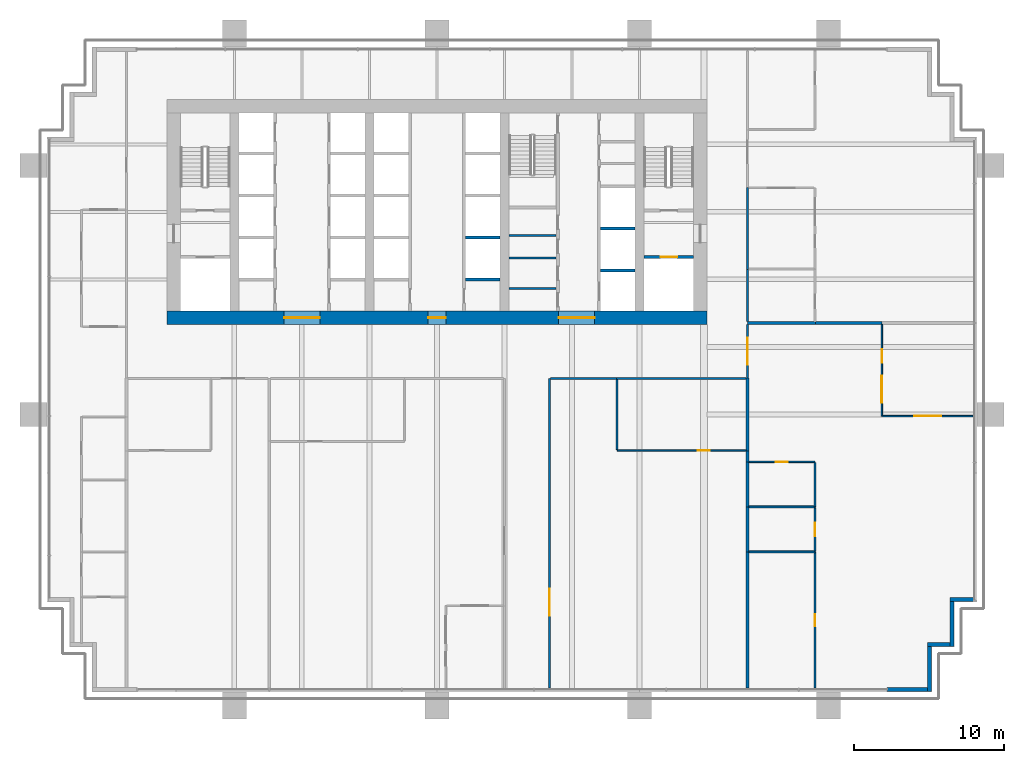
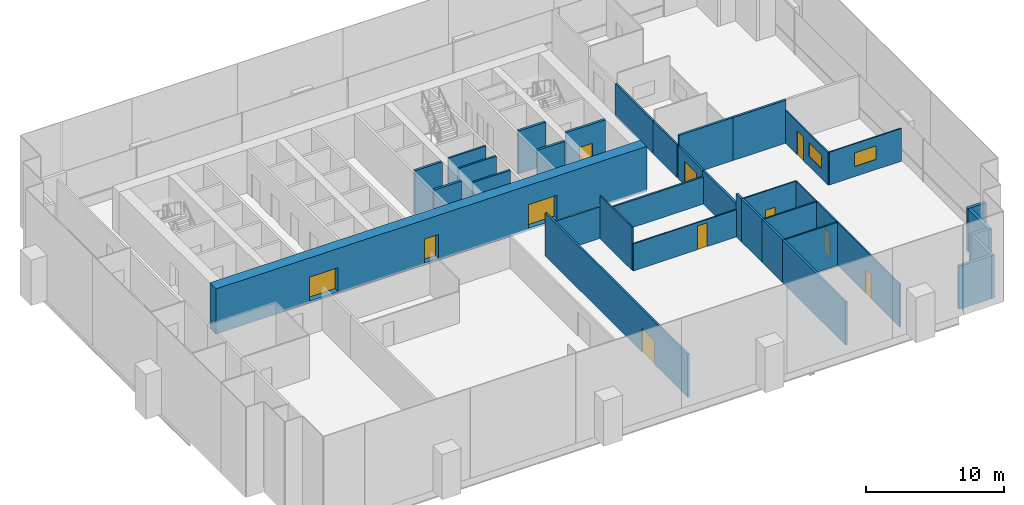
# One storey, part 13 of 19: 37 walls, 11 doors, 2 windows, 13 openings.
"""IFC4 building model written with IfcOpenShell, lengths in metres."""

from ifc_helpers import new_model, si_unit, direction, frame, frame_2d, origin, place, context, subcontext, project, spatial, rectangle, extrude, material, layer, layer_set, type_object, element, fill, save


model = new_model("IFC4")

# Units and contexts
model_context = context("Model", 3, precision=1e-05, world=origin(), true_north=direction((0.0, 1.0)))
body_context = subcontext(model_context, "Body", "Model", "MODEL_VIEW")
ifc_project = project(units=[si_unit("LENGTHUNIT", "METRE"), si_unit("AREAUNIT", "SQUARE_METRE"), si_unit("VOLUMEUNIT", "CUBIC_METRE"), si_unit("PLANEANGLEUNIT", "RADIAN"), si_unit("MASSUNIT", "GRAM", prefix="KILO")], contexts=[model_context])

# Site, building, storey
site_placement = place(None, origin())
site = spatial("IfcSite", under=ifc_project, at=site_placement, CompositionType="ELEMENT")
building_placement = place(site_placement, origin())
building = spatial("IfcBuilding", under=site, at=building_placement, Name="Rattan Terrace Tower", CompositionType="ELEMENT")
storey_placement = place(building_placement, frame((0.0, 0.0, 91.699951171875)))
storey = spatial("IfcBuildingStorey", under=building, at=storey_placement, Name="L20", CompositionType="ELEMENT", Elevation=91.699951171875)

# Walls
ifc_material_1 = material(Name="Gypsum board partition")
ifc_layer_1 = layer(ifc_material_1, 0.14990234375)
ifc_layer_set_1 = layer_set([ifc_layer_1], Name="Core partition 150")
wall_type_1 = type_object("IfcWallType", Name="Core partition 150", PredefinedType="PARTITIONING", material=ifc_layer_set_1)
for number, where, z_axis, x_axis, name in (
    (1, (4.800048828125, -5.10400390625, 0.0), (0.0, 0.0, 1.0), (1.0, 0.0, 0.0), "Toilet wall"),
    (2, (4.800048828125, -3.06396484375, 0.0), (0.0, 0.0, 1.0), (1.0, 0.0, 0.0), "Toilet wall"),
    (3, (4.800048828125, -1.568115234375, 0.0), (0.0, 0.0, 1.0), (1.0, 0.0, 0.0), "Toilet wall"),
):
    element("IfcWall", number, at=place(storey_placement, frame(where, z_axis=z_axis, x_axis=x_axis)), inside=storey, type_object=wall_type_1, Name=name, PredefinedType="PARTITIONING", context=body_context, shape_type="SweptSolid", body=[
        extrude(rectangle(XDim=3.14990234375, YDim=0.14990234375, at=frame_2d((1.574951171875, 0.0))), origin(), (0.0, 0.0, 1.0), 3.800048828125),
    ])

# Wall, opening, door
ifc_material_2 = material(Name="Gypsum board partition")
ifc_layer_2 = layer(ifc_material_2, 0.199951171875)
ifc_layer_set_2 = layer_set([ifc_layer_2], Name="Core partition 200")
wall_type_2 = type_object("IfcWallType", Name="Core partition 200", PredefinedType="PARTITIONING", material=ifc_layer_set_2)
wall_1_placement = place(storey_placement, frame((13.800048828125, -3.0, 0.0), z_axis=(0.0, 0.0, 1.0), x_axis=(1.0, 0.0, 0.0)))
wall_1 = element("IfcWall", 4, at=wall_1_placement, inside=storey, type_object=wall_type_2, Name="Fire-fighting lobby wall", PredefinedType="PARTITIONING", context=body_context, shape_type="SweptSolid", body=[
    extrude(rectangle(XDim=3.300048828125, YDim=0.199951171875, at=frame_2d((1.64990234375, 0.0))), origin(), (0.0, 0.0, 1.0), 3.800048828125),
])
opening_1_placement = place(wall_1_placement, frame((1.10009765625, 0.0, 0.0)))
opening_1 = element("IfcOpeningElement", 5, at=opening_1_placement, cuts=wall_1, Name="Opening L20-LD-FF2", PredefinedType="OPENING", context=body_context, shape_type="SweptSolid", body=[
    extrude(rectangle(XDim=1.10009765625, YDim=2.10009765625, at=frame_2d((0.550048828125, 1.050048828125))), frame((0.0, 0.110595703125, 0.0), z_axis=(0.0, -1.0, 0.0), x_axis=(1.0, 0.0, 0.0)), (0.0, 0.0, 1.0), 0.220947265625),
])
ifc_material_3 = material(Name="Brushed stainless landing door panel")
door_type_1 = type_object("IfcDoorType", Name="Core lift landing door 1100", OperationType="DOUBLE_DOOR_SLIDING", PredefinedType="DOOR", material=ifc_material_3)
door_1_placement = place(opening_1_placement, origin())
door_1 = element("IfcDoor", 6, at=door_1_placement, inside=storey, type_object=door_type_1, Name="Door L20-LD-FF2", OperationType="DOUBLE_DOOR_SLIDING", OverallHeight=2.10009765625, OverallWidth=1.10009765625, PredefinedType="DOOR", context=body_context, shape_type="SweptSolid", body=[
    extrude(rectangle(XDim=1.10009765625, YDim=2.10009765625, at=frame_2d((0.550048828125, 1.050048828125))), frame((0.0, 0.02490234375, 0.0), z_axis=(0.0, -1.0, 0.0), x_axis=(1.0, 0.0, 0.0)), (0.0, 0.0, 1.0), 0.050048828125),
])
fill(opening_1, door_1)

# Wall, openings, doors
ifc_material_4 = material(Name="Concrete C70/85", Category="concrete")
ifc_layer_3 = layer(ifc_material_4, 0.89990234375)
ifc_layer_set_3 = layer_set([ifc_layer_3], Name="Core ring wall 900 C70/85")
wall_type_3 = type_object("IfcWallType", Name="Core ring wall 900 C70/85", PredefinedType="SHEAR", material=ifc_layer_set_3)
wall_2_placement = place(storey_placement, frame((-18.0, -7.050048828125, -0.199951171875), z_axis=(0.0, 0.0, 1.0), x_axis=(1.0, 0.0, 0.0)))
wall_2 = element("IfcWall", 7, at=wall_2_placement, inside=storey, type_object=wall_type_3, Name="Rear core wall south", PredefinedType="SHEAR", context=body_context, shape_type="SweptSolid", body=[
    extrude(rectangle(XDim=36.0, YDim=0.89990234375, at=frame_2d((18.0, 0.0))), origin(), (0.0, 0.0, 1.0), 4.0),
])
opening_2_placement = place(wall_2_placement, frame((7.800048828125, 0.0, 0.199951171875)))
opening_2 = element("IfcOpeningElement", 8, at=opening_2_placement, cuts=wall_2, Name="Opening L20-D007", PredefinedType="OPENING", context=body_context, shape_type="SweptSolid", body=[
    extrude(rectangle(XDim=2.39990234375, YDim=2.10009765625, at=frame_2d((1.199951171875, 1.050048828125))), frame((0.0, 0.46044921875, 0.0), z_axis=(0.0, -1.0, 0.0), x_axis=(1.0, 0.0, 0.0)), (0.0, 0.0, 1.0), 0.9208984375),
])
opening_3_placement = place(wall_2_placement, frame((17.39990234375, 0.0, 0.199951171875)))
opening_3 = element("IfcOpeningElement", 9, at=opening_3_placement, cuts=wall_2, Name="Opening L20-D010", PredefinedType="OPENING", context=body_context, shape_type="SweptSolid", body=[
    extrude(rectangle(XDim=1.199951171875, YDim=2.10009765625, at=frame_2d((0.60009765625, 1.050048828125))), frame((0.0, 0.46044921875, 0.0), z_axis=(0.0, -1.0, 0.0), x_axis=(1.0, 0.0, 0.0)), (0.0, 0.0, 1.0), 0.9208984375),
])
opening_4_placement = place(wall_2_placement, frame((26.10009765625, 0.0, 0.199951171875)))
opening_4 = element("IfcOpeningElement", 10, at=opening_4_placement, cuts=wall_2, Name="Opening L20-D016", PredefinedType="OPENING", context=body_context, shape_type="SweptSolid", body=[
    extrude(rectangle(XDim=2.39990234375, YDim=2.10009765625, at=frame_2d((1.199951171875, 1.050048828125))), frame((0.0, 0.46044921875, 0.0), z_axis=(0.0, -1.0, 0.0), x_axis=(1.0, 0.0, 0.0)), (0.0, 0.0, 1.0), 0.9208984375),
])
ifc_material_5 = material(Name="Hollow-metal fire door leaf")
door_type_2 = type_object("IfcDoorType", Name="Core lift lobby door 2400", OperationType="NOTDEFINED", PredefinedType="DOOR", material=ifc_material_5)
door_2_placement = place(opening_2_placement, origin())
door_2 = element("IfcDoor", 11, at=door_2_placement, inside=storey, type_object=door_type_2, Name="Door L20-D007", OperationType="DOUBLE_DOOR_DOUBLE_SWING", OverallHeight=2.10009765625, OverallWidth=2.39990234375, PredefinedType="DOOR", context=body_context, shape_type="SweptSolid", body=[
    extrude(rectangle(XDim=2.39990234375, YDim=2.10009765625, at=frame_2d((1.199951171875, 1.050048828125))), frame((0.0, 0.02490234375, 0.0), z_axis=(0.0, -1.0, 0.0), x_axis=(1.0, 0.0, 0.0)), (0.0, 0.0, 1.0), 0.050048828125),
])
fill(opening_2, door_2)
door_3_placement = place(opening_4_placement, origin())
door_3 = element("IfcDoor", 12, at=door_3_placement, inside=storey, type_object=door_type_2, Name="Door L20-D016", OperationType="DOUBLE_DOOR_DOUBLE_SWING", OverallHeight=2.10009765625, OverallWidth=2.39990234375, PredefinedType="DOOR", context=body_context, shape_type="SweptSolid", body=[
    extrude(rectangle(XDim=2.39990234375, YDim=2.10009765625, at=frame_2d((1.199951171875, 1.050048828125))), frame((0.0, 0.02490234375, 0.0), z_axis=(0.0, -1.0, 0.0), x_axis=(1.0, 0.0, 0.0)), (0.0, 0.0, 1.0), 0.050048828125),
])
fill(opening_4, door_3)
ifc_material_6 = material(Name="Hollow-metal fire door leaf")
door_type_3 = type_object("IfcDoorType", Name="Core riser door 1200", OperationType="NOTDEFINED", PredefinedType="DOOR", material=ifc_material_6)
door_4_placement = place(opening_3_placement, origin())
door_4 = element("IfcDoor", 13, at=door_4_placement, inside=storey, type_object=door_type_3, Name="Door L20-D010", OperationType="SINGLE_SWING_RIGHT", OverallHeight=2.10009765625, OverallWidth=1.199951171875, PredefinedType="DOOR", context=body_context, shape_type="SweptSolid", body=[
    extrude(rectangle(XDim=1.199951171875, YDim=2.10009765625, at=frame_2d((0.60009765625, 1.050048828125))), frame((0.0, 0.02490234375, 0.0), z_axis=(0.0, -1.0, 0.0), x_axis=(1.0, 0.0, 0.0)), (0.0, 0.0, 1.0), 0.050048828125),
])
fill(opening_3, door_4)

# Walls
ifc_material_7 = material(Name="Insulated aluminium-clad stud wall", Category="aluminium")
ifc_layer_4 = layer(ifc_material_7, 0.25)
ifc_layer_set_4 = layer_set([ifc_layer_4], Name="Facade Riser Wall 250")
wall_type_4 = type_object("IfcWallType", Name="Facade Riser Wall 250", PredefinedType="SOLIDWALL", material=ifc_layer_set_4)
wall_3_placement = place(storey_placement, frame((30.0, -31.830078125, 0.0), z_axis=(0.0, 0.0, 1.0), x_axis=(1.0, 0.0, 0.0)))
element("IfcWall", 14, at=wall_3_placement, inside=storey, type_object=wall_type_4, Name="Riser wall L20-1", PredefinedType="SOLIDWALL", context=body_context, shape_type="SweptSolid", body=[
    extrude(rectangle(XDim=2.705078125, YDim=0.25, at=frame_2d((1.3525390625, 0.0))), origin(), (0.0, 0.0, 1.0), 3.800048828125),
])
wall_4_placement = place(storey_placement, frame((32.830078125, -31.955078125, 0.0), z_axis=(0.0, 0.0, 1.0), x_axis=(0.0, 1.0, 0.0)))
element("IfcWall", 15, at=wall_4_placement, inside=storey, type_object=wall_type_4, Name="Riser wall L20-2", PredefinedType="SOLIDWALL", context=body_context, shape_type="SweptSolid", body=[
    extrude(rectangle(XDim=3.0, YDim=0.25, at=frame_2d((1.5, 0.0))), origin(), (0.0, 0.0, 1.0), 3.800048828125),
])
wall_5_placement = place(storey_placement, frame((32.705078125, -28.830078125, 0.0), z_axis=(0.0, 0.0, 1.0), x_axis=(1.0, 0.0, 0.0)))
element("IfcWall", 16, at=wall_5_placement, inside=storey, type_object=wall_type_4, Name="Riser wall L20-3", PredefinedType="SOLIDWALL", context=body_context, shape_type="SweptSolid", body=[
    extrude(rectangle(XDim=1.5, YDim=0.25, at=frame_2d((0.75, 0.0))), origin(), (0.0, 0.0, 1.0), 3.800048828125),
])
wall_6_placement = place(storey_placement, frame((34.330078125, -28.955078125, 0.0), z_axis=(0.0, 0.0, 1.0), x_axis=(0.0, 1.0, 0.0)))
element("IfcWall", 17, at=wall_6_placement, inside=storey, type_object=wall_type_4, Name="Riser wall L20-4", PredefinedType="SOLIDWALL", context=body_context, shape_type="SweptSolid", body=[
    extrude(rectangle(XDim=3.0, YDim=0.25, at=frame_2d((1.5, 0.0))), origin(), (0.0, 0.0, 1.0), 3.800048828125),
])
wall_7_placement = place(storey_placement, frame((34.205078125, -25.830078125, 0.0), z_axis=(0.0, 0.0, 1.0), x_axis=(1.0, 0.0, 0.0)))
element("IfcWall", 18, at=wall_7_placement, inside=storey, type_object=wall_type_4, Name="Riser wall L20-5", PredefinedType="SOLIDWALL", context=body_context, shape_type="SweptSolid", body=[
    extrude(rectangle(XDim=1.544921875, YDim=0.25, at=frame_2d((0.7724609375, 0.0))), origin(), (0.0, 0.0, 1.0), 3.800048828125),
])
ifc_material_8 = material(Name="Double steel stud acoustic partition, gypsum board, mineral wool, fire rated", Category="steel")
ifc_layer_5 = layer(ifc_material_8, 0.179931640625)
ifc_layer_set_5 = layer_set([ifc_layer_5], Name="Floors Acoustic Party Wall 180")
wall_type_5 = type_object("IfcWallType", Name="Floors Acoustic Party Wall 180", PredefinedType="PARTITIONING", material=ifc_layer_set_5)
wall_8_placement = place(storey_placement, frame((25.219970703125, -7.39990234375, 0.0), z_axis=(0.0, 0.0, 1.0), x_axis=(1.0, 0.0, 0.0)))
element("IfcWall", 19, at=wall_8_placement, inside=storey, type_object=wall_type_5, Name="pt-L20-041", PredefinedType="PARTITIONING", context=body_context, shape_type="SweptSolid", body=[
    extrude(rectangle(XDim=4.43994140625, YDim=0.179931640625, at=frame_2d((2.219970703125, 0.0))), origin(), (0.0, 0.0, 1.0), 3.800048828125),
])
wall_9_placement = place(storey_placement, frame((20.699951171875, -7.39990234375, 0.0), z_axis=(0.0, 0.0, 1.0), x_axis=(1.0, 0.0, 0.0)))
element("IfcWall", 20, at=wall_9_placement, inside=storey, type_object=wall_type_5, Name="pt-L20-042", PredefinedType="PARTITIONING", context=body_context, shape_type="SweptSolid", body=[
    extrude(rectangle(XDim=4.52001953125, YDim=0.179931640625, at=frame_2d((2.260009765625, 0.0))), origin(), (0.0, 0.0, 1.0), 3.800048828125),
])
wall_10_placement = place(storey_placement, frame((20.699951171875, -16.659912109375, 0.0), z_axis=(0.0, 0.0, 1.0), x_axis=(0.0, 1.0, 0.0)))
element("IfcWall", 21, at=wall_10_placement, inside=storey, type_object=wall_type_5, Name="pt-L20-043", PredefinedType="PARTITIONING", context=body_context, shape_type="SweptSolid", body=[
    extrude(rectangle(XDim=0.739990234375, YDim=0.179931640625, at=frame_2d((0.3701171875, 0.0))), origin(), (0.0, 0.0, 1.0), 3.800048828125),
])
wall_11_placement = place(storey_placement, frame((20.699951171875, -15.919921875, 0.0), z_axis=(0.0, 0.0, 1.0), x_axis=(0.0, 1.0, 0.0)))
element("IfcWall", 22, at=wall_11_placement, inside=storey, type_object=wall_type_5, Name="pt-L20-044", PredefinedType="PARTITIONING", context=body_context, shape_type="SweptSolid", body=[
    extrude(rectangle(XDim=4.83984375, YDim=0.179931640625, at=frame_2d((2.419921875, 0.0))), origin(), (0.0, 0.0, 1.0), 2.900146484375),
])
wall_12_placement = place(storey_placement, frame((20.699951171875, -31.739990234375, 0.0), z_axis=(0.0, 0.0, 1.0), x_axis=(0.0, 1.0, 0.0)))
element("IfcWall", 23, at=wall_12_placement, inside=storey, type_object=wall_type_5, Name="pt-L20-047", PredefinedType="PARTITIONING", context=body_context, shape_type="SweptSolid", body=[
    extrude(rectangle(XDim=9.080078125, YDim=0.179931640625, at=frame_2d((4.5400390625, 0.0))), origin(), (0.0, 0.0, 1.0), 3.800048828125),
])
for number, where, z_axis, x_axis, name in (
    (24, (20.699951171875, -22.659912109375, 0.0), (0.0, 0.0, 1.0), (0.0, 1.0, 0.0), "pt-L20-049"),
    (25, (20.699951171875, -19.659912109375, 0.0), (0.0, 0.0, 1.0), (0.0, 1.0, 0.0), "pt-L20-050"),
):
    element("IfcWall", number, at=place(storey_placement, frame(where, z_axis=z_axis, x_axis=x_axis)), inside=storey, type_object=wall_type_5, Name=name, PredefinedType="PARTITIONING", context=body_context, shape_type="SweptSolid", body=[
        extrude(rectangle(XDim=3.0, YDim=0.179931640625, at=frame_2d((1.5, 0.0))), origin(), (0.0, 0.0, 1.0), 3.800048828125),
    ])

# Wall, openings, door, window
ifc_material_9 = material(Name="Gypsum board partition on steel studs", Category="steel")
ifc_layer_6 = layer(ifc_material_9, 0.10009765625)
ifc_layer_set_6 = layer_set([ifc_layer_6], Name="Floors Partition 100")
wall_type_6 = type_object("IfcWallType", Name="Floors Partition 100", PredefinedType="PARTITIONING", material=ifc_layer_set_6)
wall_13_placement = place(storey_placement, frame((29.659912109375, -7.489990234375, 0.0), z_axis=(0.0, 0.0, 1.0), x_axis=(0.0, -1.0, 0.0)))
wall_13 = element("IfcWall", 26, at=wall_13_placement, inside=storey, type_object=wall_type_6, Name="pt-L20-035", PredefinedType="PARTITIONING", context=body_context, shape_type="SweptSolid", body=[
    extrude(rectangle(XDim=6.110107421875, YDim=0.10009765625, at=frame_2d((3.05517578125, 0.0))), origin(), (0.0, 0.0, 1.0), 2.900146484375),
])
opening_5_placement = place(wall_13_placement, frame((1.6630859375, 0.0, 0.0)))
opening_5 = element("IfcOpeningElement", 27, at=opening_5_placement, cuts=wall_13, Name="Opening L20-D107", PredefinedType="OPENING", context=body_context, shape_type="SweptSolid", body=[
    extrude(rectangle(XDim=0.89990234375, YDim=2.10009765625, at=frame_2d((0.449951171875, 1.050048828125))), frame((0.0, 0.060546875, 0.0), z_axis=(0.0, -1.0, 0.0), x_axis=(1.0, 0.0, 0.0)), (0.0, 0.0, 1.0), 0.12109375),
])
opening_6_placement = place(wall_13_placement, frame((3.412109375, 0.0, 0.89990234375)))
opening_6 = element("IfcOpeningElement", 28, at=opening_6_placement, cuts=wall_13, Name="Opening L20-W103", PredefinedType="OPENING", context=body_context, shape_type="SweptSolid", body=[
    extrude(rectangle(XDim=1.800048828125, YDim=1.199951171875, at=frame_2d((0.89990234375, 0.60009765625))), frame((0.0, 0.060546875, 0.0), z_axis=(0.0, -1.0, 0.0), x_axis=(1.0, 0.0, 0.0)), (0.0, 0.0, 1.0), 0.12109375),
])
ifc_material_10 = material(Name="Solid core timber door, painted", Category="wood")
door_type_4 = type_object("IfcDoorType", Name="Floors Door 900x2100", OperationType="NOTDEFINED", PredefinedType="DOOR", material=ifc_material_10)
door_5_placement = place(opening_5_placement, origin())
door_5 = element("IfcDoor", 29, at=door_5_placement, inside=storey, type_object=door_type_4, Name="d-L20-107", OperationType="SINGLE_SWING_LEFT", OverallHeight=2.10009765625, OverallWidth=0.89990234375, PredefinedType="DOOR", context=body_context, shape_type="SweptSolid", body=[
    extrude(rectangle(XDim=0.89990234375, YDim=2.10009765625, at=frame_2d((0.449951171875, 1.050048828125))), frame((0.0, 0.02490234375, 0.0), z_axis=(0.0, -1.0, 0.0), x_axis=(1.0, 0.0, 0.0)), (0.0, 0.0, 1.0), 0.050048828125),
])
fill(opening_5, door_5)
ifc_material_11 = material(Name="Glass, clear, fixed in aluminium frame", Category="aluminium")
window_type = type_object("IfcWindowType", Name="Interior Vision Window 1800x1200", PartitioningType="SINGLE_PANEL", PredefinedType="WINDOW", material=ifc_material_11)
window_1_placement = place(opening_6_placement, origin())
window_1 = element("IfcWindow", 30, at=window_1_placement, inside=storey, type_object=window_type, Name="w-L20-103", OverallHeight=1.199951171875, OverallWidth=1.800048828125, PartitioningType="SINGLE_PANEL", PredefinedType="WINDOW", context=body_context, shape_type="SweptSolid", body=[
    extrude(rectangle(XDim=1.800048828125, YDim=1.199951171875, at=frame_2d((0.89990234375, 0.60009765625))), frame((0.0, 0.030029296875, 0.0), z_axis=(0.0, -1.0, 0.0), x_axis=(1.0, 0.0, 0.0)), (0.0, 0.0, 1.0), 0.06005859375),
])
fill(opening_6, window_1)

# Wall, opening, window
wall_14_placement = place(storey_placement, frame((29.7099609375, -13.60009765625, 0.0), z_axis=(0.0, 0.0, 1.0), x_axis=(1.0, 0.0, 0.0)))
wall_14 = element("IfcWall", 31, at=wall_14_placement, inside=storey, type_object=wall_type_6, Name="pt-L20-036", PredefinedType="PARTITIONING", context=body_context, shape_type="SweptSolid", body=[
    extrude(rectangle(XDim=6.030029296875, YDim=0.10009765625, at=frame_2d((3.01513671875, 0.0))), origin(), (0.0, 0.0, 1.0), 2.900146484375),
])
opening_7_placement = place(wall_14_placement, frame((2.114990234375, 0.0, 0.89990234375)))
opening_7 = element("IfcOpeningElement", 32, at=opening_7_placement, cuts=wall_14, Name="Opening L20-W104", PredefinedType="OPENING", context=body_context, shape_type="SweptSolid", body=[
    extrude(rectangle(XDim=1.800048828125, YDim=1.199951171875, at=frame_2d((0.89990234375, 0.60009765625))), frame((0.0, 0.060546875, 0.0), z_axis=(0.0, -1.0, 0.0), x_axis=(1.0, 0.0, 0.0)), (0.0, 0.0, 1.0), 0.12109375),
])
window_2_placement = place(opening_7_placement, origin())
window_2 = element("IfcWindow", 33, at=window_2_placement, inside=storey, type_object=window_type, Name="w-L20-104", OverallHeight=1.199951171875, OverallWidth=1.800048828125, PartitioningType="SINGLE_PANEL", PredefinedType="WINDOW", context=body_context, shape_type="SweptSolid", body=[
    extrude(rectangle(XDim=1.800048828125, YDim=1.199951171875, at=frame_2d((0.89990234375, 0.60009765625))), frame((0.0, 0.030029296875, 0.0), z_axis=(0.0, -1.0, 0.0), x_axis=(1.0, 0.0, 0.0)), (0.0, 0.0, 1.0), 0.06005859375),
])
fill(opening_7, window_2)

# Wall, opening, door
wall_15_placement = place(storey_placement, frame((25.199951171875, -31.739990234375, 0.0), z_axis=(0.0, 0.0, 1.0), x_axis=(0.0, 1.0, 0.0)))
wall_15 = element("IfcWall", 34, at=wall_15_placement, inside=storey, type_object=wall_type_6, Name="pt-L20-037", PredefinedType="PARTITIONING", context=body_context, shape_type="SweptSolid", body=[
    extrude(rectangle(XDim=9.06005859375, YDim=0.10009765625, at=frame_2d((4.530029296875, 0.0))), origin(), (0.0, 0.0, 1.0), 3.800048828125),
])
opening_8_placement = place(wall_15_placement, frame((4.1298828125, 0.0, 0.0)))
opening_8 = element("IfcOpeningElement", 35, at=opening_8_placement, cuts=wall_15, Name="Opening L20-D108", PredefinedType="OPENING", context=body_context, shape_type="SweptSolid", body=[
    extrude(rectangle(XDim=0.800048828125, YDim=2.10009765625, at=frame_2d((0.39990234375, 1.050048828125))), frame((0.0, 0.060546875, 0.0), z_axis=(0.0, -1.0, 0.0), x_axis=(1.0, 0.0, 0.0)), (0.0, 0.0, 1.0), 0.12109375),
])
ifc_material_12 = material(Name="Solid core timber door, painted", Category="wood")
door_type_5 = type_object("IfcDoorType", Name="Floors Store Door 800x2100", OperationType="NOTDEFINED", PredefinedType="DOOR", material=ifc_material_12)
door_6_placement = place(opening_8_placement, origin())
door_6 = element("IfcDoor", 36, at=door_6_placement, inside=storey, type_object=door_type_5, Name="d-L20-108", OperationType="SINGLE_SWING_LEFT", OverallHeight=2.10009765625, OverallWidth=0.800048828125, PredefinedType="DOOR", context=body_context, shape_type="SweptSolid", body=[
    extrude(rectangle(XDim=0.800048828125, YDim=2.10009765625, at=frame_2d((0.39990234375, 1.050048828125))), frame((0.0, 0.02490234375, 0.0), z_axis=(0.0, -1.0, 0.0), x_axis=(1.0, 0.0, 0.0)), (0.0, 0.0, 1.0), 0.050048828125),
])
fill(opening_8, door_6)

wall_16_placement = place(storey_placement, frame((25.199951171875, -16.659912109375, 0.0), z_axis=(0.0, 0.0, 1.0), x_axis=(-1.0, 0.0, 0.0)))
wall_16 = element("IfcWall", 37, at=wall_16_placement, inside=storey, type_object=wall_type_6, Name="pt-L20-039", PredefinedType="PARTITIONING", context=body_context, shape_type="SweptSolid", body=[
    extrude(rectangle(XDim=4.409912109375, YDim=0.10009765625, at=frame_2d((2.205078125, 0.0))), origin(), (0.0, 0.0, 1.0), 3.800048828125),
])
opening_9_placement = place(wall_16_placement, frame((1.804931640625, 0.0, 0.0)))
opening_9 = element("IfcOpeningElement", 38, at=opening_9_placement, cuts=wall_16, Name="Opening L20-D110", PredefinedType="OPENING", context=body_context, shape_type="SweptSolid", body=[
    extrude(rectangle(XDim=0.800048828125, YDim=2.10009765625, at=frame_2d((0.39990234375, 1.050048828125))), frame((0.0, 0.060546875, 0.0), z_axis=(0.0, -1.0, 0.0), x_axis=(1.0, 0.0, 0.0)), (0.0, 0.0, 1.0), 0.12109375),
])
door_7_placement = place(opening_9_placement, origin())
door_7 = element("IfcDoor", 39, at=door_7_placement, inside=storey, type_object=door_type_5, Name="d-L20-110", OperationType="SINGLE_SWING_LEFT", OverallHeight=2.10009765625, OverallWidth=0.800048828125, PredefinedType="DOOR", context=body_context, shape_type="SweptSolid", body=[
    extrude(rectangle(XDim=0.800048828125, YDim=2.10009765625, at=frame_2d((0.39990234375, 1.050048828125))), frame((0.0, 0.02490234375, 0.0), z_axis=(0.0, -1.0, 0.0), x_axis=(1.0, 0.0, 0.0)), (0.0, 0.0, 1.0), 0.050048828125),
])
fill(opening_9, door_7)

# Walls
wall_17_placement = place(storey_placement, frame((25.199951171875, -19.639892578125, 0.0), z_axis=(0.0, 0.0, 1.0), x_axis=(0.0, 1.0, 0.0)))
element("IfcWall", 40, at=wall_17_placement, inside=storey, type_object=wall_type_6, Name="pt-L20-040", PredefinedType="PARTITIONING", context=body_context, shape_type="SweptSolid", body=[
    extrude(rectangle(XDim=2.929931640625, YDim=0.10009765625, at=frame_2d((1.46484375, 0.0))), origin(), (0.0, 0.0, 1.0), 3.800048828125),
])
wall_18_placement = place(storey_placement, frame((12.0, -11.175048828125, 0.0), z_axis=(0.0, 0.0, 1.0), x_axis=(0.0, -1.0, 0.0)))
element("IfcWall", 41, at=wall_18_placement, inside=storey, type_object=wall_type_6, Name="pt-L20-065", PredefinedType="PARTITIONING", context=body_context, shape_type="SweptSolid", body=[
    extrude(rectangle(XDim=4.675048828125, YDim=0.10009765625, at=frame_2d((2.33740234375, 0.0))), origin(), (0.0, 0.0, 1.0), 3.800048828125),
])

# Wall, opening, door
wall_19_placement = place(storey_placement, frame((12.0, -15.89990234375, 0.0), z_axis=(0.0, 0.0, 1.0), x_axis=(1.0, 0.0, 0.0)))
wall_19 = element("IfcWall", 42, at=wall_19_placement, inside=storey, type_object=wall_type_6, Name="pt-L20-066", PredefinedType="PARTITIONING", context=body_context, shape_type="SweptSolid", body=[
    extrude(rectangle(XDim=8.610107421875, YDim=0.10009765625, at=frame_2d((4.30517578125, 0.0))), origin(), (0.0, 0.0, 1.0), 2.400146484375),
])
opening_10_placement = place(wall_19_placement, frame((5.366943359375, 0.0, 0.0)))
opening_10 = element("IfcOpeningElement", 43, at=opening_10_placement, cuts=wall_19, Name="Opening L20-D121", PredefinedType="OPENING", context=body_context, shape_type="SweptSolid", body=[
    extrude(rectangle(XDim=0.800048828125, YDim=2.10009765625, at=frame_2d((0.39990234375, 1.050048828125))), frame((0.0, 0.060546875, 0.0), z_axis=(0.0, -1.0, 0.0), x_axis=(1.0, 0.0, 0.0)), (0.0, 0.0, 1.0), 0.12109375),
])
door_8_placement = place(opening_10_placement, origin())
door_8 = element("IfcDoor", 44, at=door_8_placement, inside=storey, type_object=door_type_5, Name="d-L20-121", OperationType="SINGLE_SWING_RIGHT", OverallHeight=2.10009765625, OverallWidth=0.800048828125, PredefinedType="DOOR", context=body_context, shape_type="SweptSolid", body=[
    extrude(rectangle(XDim=0.800048828125, YDim=2.10009765625, at=frame_2d((0.39990234375, 1.050048828125))), frame((0.0, 0.02490234375, 0.0), z_axis=(0.0, -1.0, 0.0), x_axis=(1.0, 0.0, 0.0)), (0.0, 0.0, 1.0), 0.050048828125),
])
fill(opening_10, door_8)

ifc_material_13 = material(Name="Gypsum board partition on steel studs, fire rated", Category="steel")
ifc_layer_7 = layer(ifc_material_13, 0.14990234375)
ifc_layer_set_7 = layer_set([ifc_layer_7], Name="Floors Tenancy Wall 150")
wall_type_7 = type_object("IfcWallType", Name="Floors Tenancy Wall 150", PredefinedType="PARTITIONING", material=ifc_layer_set_7)
wall_20_placement = place(storey_placement, frame((20.699951171875, -7.489990234375, 0.0), z_axis=(0.0, 0.0, 1.0), x_axis=(0.0, -1.0, 0.0)))
wall_20 = element("IfcWall", 45, at=wall_20_placement, inside=storey, type_object=wall_type_7, Name="pt-L20-004", PredefinedType="PARTITIONING", context=body_context, shape_type="SweptSolid", body=[
    extrude(rectangle(XDim=3.590087890625, YDim=0.14990234375, at=frame_2d((1.794921875, 0.0))), origin(), (0.0, 0.0, 1.0), 2.900146484375),
])
opening_11_placement = place(wall_20_placement, frame((0.89501953125, 0.0, 0.0)))
opening_11 = element("IfcOpeningElement", 46, at=opening_11_placement, cuts=wall_20, Name="Opening L20-D106", PredefinedType="OPENING", context=body_context, shape_type="SweptSolid", body=[
    extrude(rectangle(XDim=1.800048828125, YDim=2.10009765625, at=frame_2d((0.89990234375, 1.050048828125))), frame((0.0, 0.08544921875, 0.0), z_axis=(0.0, -1.0, 0.0), x_axis=(1.0, 0.0, 0.0)), (0.0, 0.0, 1.0), 0.1708984375),
])
ifc_material_14 = material(Name="Steel fire door set", Category="steel")
door_type_6 = type_object("IfcDoorType", Name="Floors Fire Door Pair FD30S 1800x2100", OperationType="NOTDEFINED", PredefinedType="DOOR", material=ifc_material_14)
door_9_placement = place(opening_11_placement, origin())
door_9 = element("IfcDoor", 47, at=door_9_placement, inside=storey, type_object=door_type_6, Name="d-L20-106", OperationType="DOUBLE_DOOR_SINGLE_SWING", OverallHeight=2.10009765625, OverallWidth=1.800048828125, PredefinedType="DOOR", context=body_context, shape_type="SweptSolid", body=[
    extrude(rectangle(XDim=1.800048828125, YDim=2.10009765625, at=frame_2d((0.89990234375, 1.050048828125))), frame((0.0, 0.02490234375, 0.0), z_axis=(0.0, -1.0, 0.0), x_axis=(1.0, 0.0, 0.0)), (0.0, 0.0, 1.0), 0.050048828125),
])
fill(opening_11, door_9)

# Walls
wall_21_placement = place(storey_placement, frame((20.699951171875, -3.820068359375, 0.0), z_axis=(0.0, 0.0, 1.0), x_axis=(0.0, -1.0, 0.0)))
element("IfcWall", 48, at=wall_21_placement, inside=storey, type_object=wall_type_7, Name="pt-L20-006", PredefinedType="PARTITIONING", context=body_context, shape_type="SweptSolid", body=[
    extrude(rectangle(XDim=3.489990234375, YDim=0.14990234375, at=frame_2d((1.7451171875, 0.0))), origin(), (0.0, 0.0, 1.0), 2.900146484375),
])
wall_22_placement = place(storey_placement, frame((20.699951171875, 1.6201171875, 0.0), z_axis=(0.0, 0.0, 1.0), x_axis=(0.0, -1.0, 0.0)))
element("IfcWall", 49, at=wall_22_placement, inside=storey, type_object=wall_type_7, Name="pt-L20-007", PredefinedType="PARTITIONING", context=body_context, shape_type="SweptSolid", body=[
    extrude(rectangle(XDim=5.440185546875, YDim=0.14990234375, at=frame_2d((2.72021484375, 0.0))), origin(), (0.0, 0.0, 1.0), 2.900146484375),
])

# Wall, opening, door
wall_23_placement = place(storey_placement, frame((7.5, -11.10009765625, 0.0), z_axis=(0.0, 0.0, 1.0), x_axis=(0.0, -1.0, 0.0)))
wall_23 = element("IfcWall", 50, at=wall_23_placement, inside=storey, type_object=wall_type_7, Name="pt-L20-015", PredefinedType="PARTITIONING", context=body_context, shape_type="SweptSolid", body=[
    extrude(rectangle(XDim=20.639892578125, YDim=0.14990234375, at=frame_2d((10.31982421875, 0.0))), origin(), (0.0, 0.0, 1.0), 3.800048828125),
])
opening_12_placement = place(wall_23_placement, frame((14.0048828125, 0.0, 0.0)))
opening_12 = element("IfcOpeningElement", 51, at=opening_12_placement, cuts=wall_23, Name="Opening L20-D120", PredefinedType="OPENING", context=body_context, shape_type="SweptSolid", body=[
    extrude(rectangle(XDim=1.800048828125, YDim=2.10009765625, at=frame_2d((0.89990234375, 1.050048828125))), frame((0.0, 0.08544921875, 0.0), z_axis=(0.0, -1.0, 0.0), x_axis=(1.0, 0.0, 0.0)), (0.0, 0.0, 1.0), 0.1708984375),
])
door_10_placement = place(opening_12_placement, origin())
door_10 = element("IfcDoor", 52, at=door_10_placement, inside=storey, type_object=door_type_6, Name="d-L20-120", OperationType="DOUBLE_DOOR_SINGLE_SWING", OverallHeight=2.10009765625, OverallWidth=1.800048828125, PredefinedType="DOOR", context=body_context, shape_type="SweptSolid", body=[
    extrude(rectangle(XDim=1.800048828125, YDim=2.10009765625, at=frame_2d((0.89990234375, 1.050048828125))), frame((0.0, 0.02490234375, 0.0), z_axis=(0.0, -1.0, 0.0), x_axis=(1.0, 0.0, 0.0)), (0.0, 0.0, 1.0), 0.050048828125),
])
fill(opening_12, door_10)

# Walls
wall_24_placement = place(storey_placement, frame((11.97998046875, -11.10009765625, 0.0), z_axis=(0.0, 0.0, 1.0), x_axis=(-1.0, 0.0, 0.0)))
element("IfcWall", 53, at=wall_24_placement, inside=storey, type_object=wall_type_7, Name="pt-L20-016", PredefinedType="PARTITIONING", context=body_context, shape_type="SweptSolid", body=[
    extrude(rectangle(XDim=4.405029296875, YDim=0.14990234375, at=frame_2d((2.20263671875, 0.0))), origin(), (0.0, 0.0, 1.0), 2.800048828125),
])
wall_25_placement = place(storey_placement, frame((20.610107421875, -11.10009765625, 0.0), z_axis=(0.0, 0.0, 1.0), x_axis=(-1.0, 0.0, 0.0)))
element("IfcWall", 54, at=wall_25_placement, inside=storey, type_object=wall_type_7, Name="pt-L20-017", PredefinedType="PARTITIONING", context=body_context, shape_type="SweptSolid", body=[
    extrude(rectangle(XDim=8.630126953125, YDim=0.14990234375, at=frame_2d((4.31494140625, 0.0))), origin(), (0.0, 0.0, 1.0), 2.400146484375),
])

# Wall, opening, door
ifc_material_15 = material(Name="Moisture resistant gypsum board partition on steel studs with service cavity", Category="steel")
ifc_layer_8 = layer(ifc_material_15, 0.1201171875)
ifc_layer_set_8 = layer_set([ifc_layer_8], Name="Floors Wet Wall 120")
wall_type_8 = type_object("IfcWallType", Name="Floors Wet Wall 120", PredefinedType="PARTITIONING", material=ifc_layer_set_8)
wall_26_placement = place(storey_placement, frame((25.200927734375, -22.60009765625, 0.0), z_axis=(0.0, 0.0, 1.0), x_axis=(0.0, 1.0, 0.0)))
wall_26 = element("IfcWall", 55, at=wall_26_placement, inside=storey, type_object=wall_type_8, Name="pt-L20-038", PredefinedType="PARTITIONING", context=body_context, shape_type="SweptSolid", body=[
    extrude(rectangle(XDim=2.880126953125, YDim=0.1201171875, at=frame_2d((1.43994140625, 0.0))), origin(), (0.0, 0.0, 1.0), 3.800048828125),
])
opening_13_placement = place(wall_26_placement, frame((0.989990234375, 0.0, 0.0)))
opening_13 = element("IfcOpeningElement", 56, at=opening_13_placement, cuts=wall_26, Name="Opening L20-D109", PredefinedType="OPENING", context=body_context, shape_type="SweptSolid", body=[
    extrude(rectangle(XDim=0.89990234375, YDim=2.10009765625, at=frame_2d((0.449951171875, 1.050048828125))), frame((0.0, 0.070556640625, 0.0), z_axis=(0.0, -1.0, 0.0), x_axis=(1.0, 0.0, 0.0)), (0.0, 0.0, 1.0), 0.14111328125),
])
door_11_placement = place(opening_13_placement, origin())
door_11 = element("IfcDoor", 57, at=door_11_placement, inside=storey, type_object=door_type_4, Name="d-L20-109", OperationType="SINGLE_SWING_RIGHT", OverallHeight=2.10009765625, OverallWidth=0.89990234375, PredefinedType="DOOR", context=body_context, shape_type="SweptSolid", body=[
    extrude(rectangle(XDim=0.89990234375, YDim=2.10009765625, at=frame_2d((0.449951171875, 1.050048828125))), frame((0.0, 0.02490234375, 0.0), z_axis=(0.0, -1.0, 0.0), x_axis=(1.0, 0.0, 0.0)), (0.0, 0.0, 1.0), 0.050048828125),
])
fill(opening_13, door_11)

# Walls
for number, where, z_axis, x_axis, name in (
    (58, (20.7900390625, -22.659912109375, 0.0), (0.0, 0.0, 1.0), (1.0, 0.0, 0.0), "pt-L20-046"),
    (59, (20.7900390625, -19.659912109375, 0.0), (0.0, 0.0, 1.0), (1.0, 0.0, 0.0), "pt-L20-048"),
):
    element("IfcWall", number, at=place(storey_placement, frame(where, z_axis=z_axis, x_axis=x_axis)), inside=storey, type_object=wall_type_8, Name=name, PredefinedType="PARTITIONING", context=body_context, shape_type="SweptSolid", body=[
        extrude(rectangle(XDim=4.409912109375, YDim=0.1201171875, at=frame_2d((2.205078125, 0.0))), origin(), (0.0, 0.0, 1.0), 3.800048828125),
    ])
ifc_material_16 = material(Name="Gypsum shaft wall system")
ifc_layer_9 = layer(ifc_material_16, 0.199951171875)
ifc_layer_set_9 = layer_set([ifc_layer_9], Name="Lift shaft wall 200")
wall_type_9 = type_object("IfcWallType", Name="Lift shaft wall 200", PredefinedType="PARTITIONING", material=ifc_layer_set_9)
for number, where, z_axis, x_axis, name in (
    (60, (1.89990234375, -1.699951171875, 0.0), (0.0, 0.0, 1.0), (1.0, 0.0, 0.0), "Lift shaft wall"),
    (61, (1.89990234375, -4.5, 0.0), (0.0, 0.0, 1.0), (1.0, 0.0, 0.0), "Lift shaft wall"),
    (62, (10.89990234375, -3.89990234375, 0.0), (0.0, 0.0, 1.0), (1.0, 0.0, 0.0), "Lift shaft wall"),
    (63, (10.89990234375, -1.10009765625, 0.0), (0.0, 0.0, 1.0), (1.0, 0.0, 0.0), "Lift shaft wall"),
):
    element("IfcWall", number, at=place(storey_placement, frame(where, z_axis=z_axis, x_axis=x_axis)), inside=storey, type_object=wall_type_9, Name=name, PredefinedType="PARTITIONING", context=body_context, shape_type="SweptSolid", body=[
        extrude(rectangle(XDim=2.300048828125, YDim=0.199951171875, at=frame_2d((1.14990234375, 0.0))), origin(), (0.0, 0.0, 1.0), 3.800048828125),
    ])

save(model, "model.ifc")
